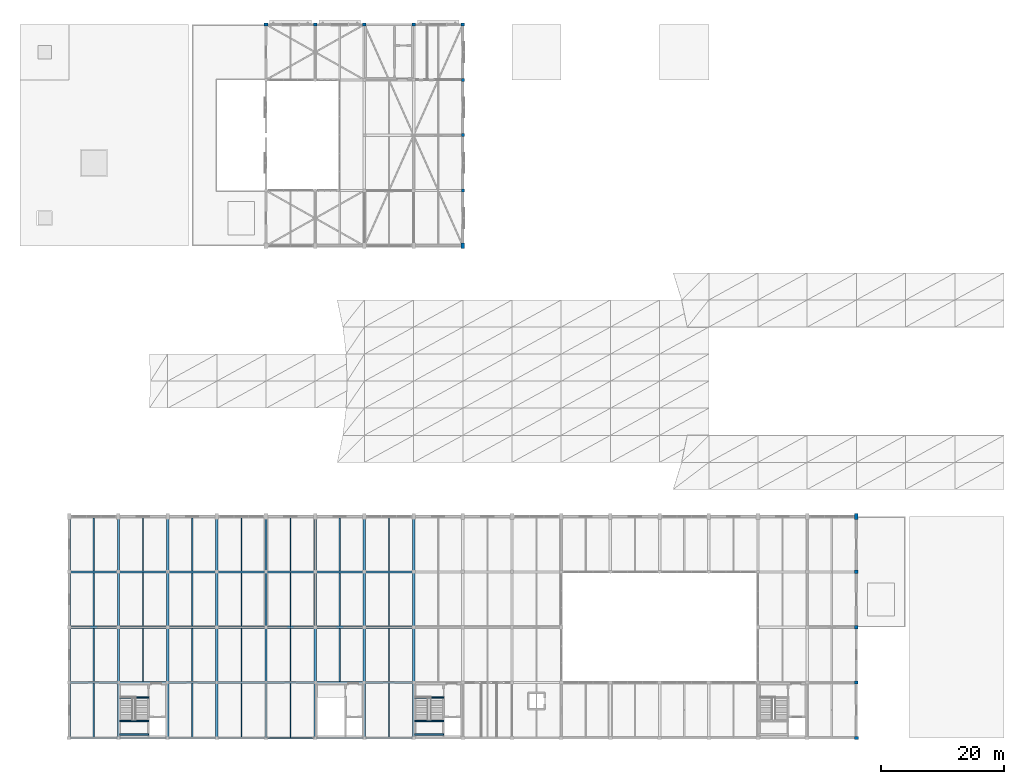
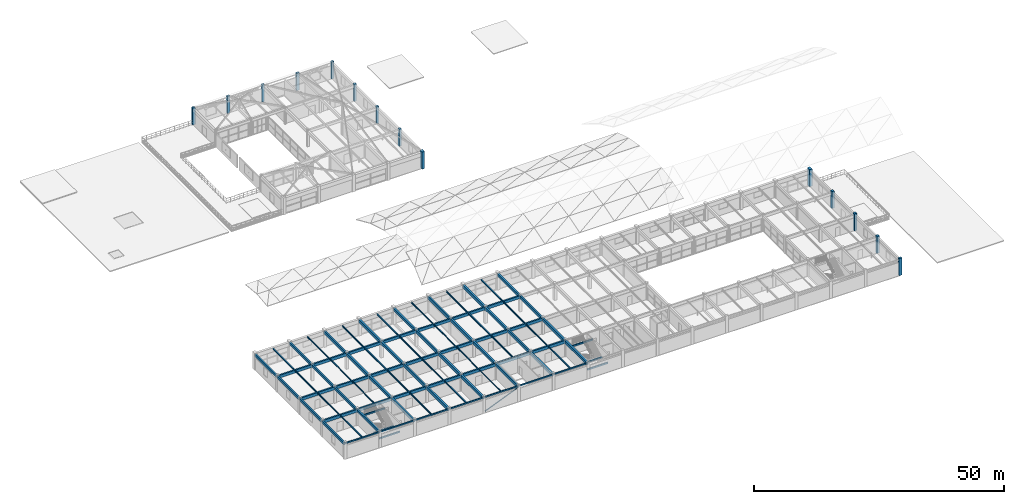
# One storey, part 3 of 63: 92 beams, 14 columns, 1 member.
"""IFC4 building model written with IfcOpenShell, lengths in metres."""

import ifcopenshell
import ifcopenshell.guid

model = None  # the IFC model being written
_history = None  # IfcOwnerHistory: only IFC2X3 demands one
_inside = {}  # id of a spatial element -> (the spatial element, [elements in it])
_under = {}  # id of a project, library or spatial element -> (it, [spatial elements below it])
_declared = {}  # id of a project -> (the project, [libraries it declares])
_typed = {}  # id of a type object -> (the type object, [elements of that type])
_made_of = {}  # id of a material, layer set ... -> (it, [elements and type objects made of it])


def new_model(schema):
    """Start an empty IFC model of exactly this schema.

    Asked for "IFC4X3", IfcOpenShell would pick the latest addendum, in which some entities
    have other attributes; the version numbers below select the first issue.
    IFC2X3 requires an IfcOwnerHistory on every rooted entity: one is made here for all.
    """
    global model, _history
    if schema == "IFC4X3":
        model = ifcopenshell.file(schema_version=(4, 3, 0, 0))
    else:
        model = ifcopenshell.file(schema=schema)
    _inside.clear()
    _under.clear()
    _declared.clear()
    _typed.clear()
    _made_of.clear()
    _history = None
    if model.schema == "IFC2X3":
        org = make("IfcOrganization", Name="unknown")
        user = make(
            "IfcPersonAndOrganization",
            ThePerson=make("IfcPerson", FamilyName="unknown"),
            TheOrganization=org,
        )
        app = make(
            "IfcApplication",
            ApplicationDeveloper=org,
            Version="unknown",
            ApplicationFullName="unknown",
            ApplicationIdentifier="unknown",
        )
        _history = make(
            "IfcOwnerHistory",
            OwningUser=user,
            OwningApplication=app,
            ChangeAction="ADDED",
            CreationDate=0,
        )
    return model


def make(cls, **values):
    """One entity of the class cls with the attributes given. An attribute that is None is left unset."""
    return model.create_entity(
        cls, **{name: value for name, value in values.items() if value is not None}
    )


def rooted(cls, **values):
    """An entity with a GlobalId (a new one), such as an element, a storey or a relation."""
    return make(cls, GlobalId=ifcopenshell.guid.new(), OwnerHistory=_history, **values)


def si_unit(unit_type, name, prefix=None):
    """IfcSIUnit, for example si_unit("LENGTHUNIT", "METRE", prefix="MILLI")."""
    return make("IfcSIUnit", UnitType=unit_type, Prefix=prefix, Name=name)


def assignment(units):
    """IfcUnitAssignment: the units of a project."""
    return None if units is None else make("IfcUnitAssignment", Units=units)


def point(xyz):
    """IfcCartesianPoint."""
    return None if xyz is None else make("IfcCartesianPoint", Coordinates=xyz)


def direction(xyz):
    """IfcDirection."""
    return None if xyz is None else make("IfcDirection", DirectionRatios=xyz)


def frame(location, z_axis=None, x_axis=None):
    """IfcAxis2Placement3D, a coordinate frame: its origin and axes. An axis left out is left unset."""
    return make(
        "IfcAxis2Placement3D",
        Location=point(location),
        Axis=direction(z_axis),
        RefDirection=direction(x_axis),
    )


def frame_2d(location, x_axis=None):
    """IfcAxis2Placement2D, a coordinate frame in the plane: its origin and x axis."""
    return make(
        "IfcAxis2Placement2D", Location=point(location), RefDirection=direction(x_axis)
    )


def origin():
    """The frame at (0, 0, 0) with its axes left unset."""
    return frame((0.0, 0.0, 0.0))


def origin_2d():
    """The frame at (0, 0) in the plane with its x axis left unset."""
    return frame_2d((0.0, 0.0))


def place(relative_to, where):
    """IfcLocalPlacement: puts the frame where relative to a parent placement (None: the world)."""
    return make(
        "IfcLocalPlacement", PlacementRelTo=relative_to, RelativePlacement=where
    )


def context(
    kind, dimensions, precision=None, world=None, true_north=None, identifier=None
):
    """IfcGeometricRepresentationContext, for example the 3D "Model" context."""
    return make(
        "IfcGeometricRepresentationContext",
        ContextIdentifier=identifier,
        ContextType=kind,
        CoordinateSpaceDimension=dimensions,
        Precision=precision,
        WorldCoordinateSystem=world,
        TrueNorth=true_north,
    )


def subcontext(parent, identifier, kind, view, scale=None):
    """IfcGeometricRepresentationSubContext, for example "Body" below "Model"."""
    return make(
        "IfcGeometricRepresentationSubContext",
        ContextIdentifier=identifier,
        ContextType=kind,
        ParentContext=parent,
        TargetScale=scale,
        TargetView=view,
    )


def project(units=None, contexts=None):
    """IfcProject with its units and contexts."""
    return rooted(
        "IfcProject",
        Name="project",
        RepresentationContexts=contexts,
        UnitsInContext=assignment(units),
    )


def spatial(cls, under=None, at=None, **own):
    """A site, building, storey or space (cls), placed at a placement, below another one or the project."""
    s = rooted(cls, ObjectPlacement=at, **own)
    if under is not None:
        _under.setdefault(under.id(), (under, []))[1].append(s)
    return s


def profile(cls, at=None, kind="AREA", **sizes):
    """A parametric profile (cls). Its sizes go by their IFC names, for example OverallWidth=200.0."""
    return make(cls, ProfileType=kind, Position=at, **sizes)


def rectangle(**sizes):
    """IfcRectangleProfileDef."""
    return profile("IfcRectangleProfileDef", **sizes)


def hollow_rectangle(**sizes):
    """IfcRectangleHollowProfileDef."""
    return profile("IfcRectangleHollowProfileDef", **sizes)


def i_section(**sizes):
    """IfcIShapeProfileDef."""
    return profile("IfcIShapeProfileDef", **sizes)


def extrude(swept, where, along, depth):
    """IfcExtrudedAreaSolid: the profile swept, set in the frame where, extruded along a direction by depth."""
    return make(
        "IfcExtrudedAreaSolid",
        SweptArea=swept,
        Position=where,
        ExtrudedDirection=direction(along),
        Depth=depth,
    )


def shape(context_of_items, identifier, shape_type, items):
    """IfcShapeRepresentation: the items that make up one representation, for example the "Body"."""
    return make(
        "IfcShapeRepresentation",
        ContextOfItems=context_of_items,
        RepresentationIdentifier=identifier,
        RepresentationType=shape_type,
        Items=items,
    )


def material(Name=None, Category=None):
    """IfcMaterial."""
    return make("IfcMaterial", Name=Name, Category=Category)


def material_profile(
    of_material, cross_section, Name=None, Category=None, Priority=None
):
    """IfcMaterialProfile: a cross section and its material."""
    return make(
        "IfcMaterialProfile",
        Name=Name,
        Material=of_material,
        Profile=cross_section,
        Priority=Priority,
        Category=Category,
    )


def profile_set(profiles, Name=None, composite=None):
    """IfcMaterialProfileSet."""
    return make(
        "IfcMaterialProfileSet",
        Name=Name,
        MaterialProfiles=profiles,
        CompositeProfile=composite,
    )


def made_of(thing, what):
    """Note that an element or type object is made of a material, layer set ...; save() writes the relation."""
    if what is not None:
        _made_of.setdefault(what.id(), (what, []))[1].append(thing)
    return thing


def type_object(cls, material=None, **own):
    """A type object (cls), such as IfcWallType, which elements share."""
    return made_of(rooted(cls, **own), material)


def element(
    cls,
    number,
    at=None,
    inside=None,
    cuts=None,
    type_object=None,
    material=None,
    context=None,
    identifier="Body",
    shape_type=None,
    held_by="IfcProductDefinitionShape",
    body=None,
    shapes=None,
    **own,
):
    """One element of the class cls, such as IfcWall. Its Tag is "e" and its number.

    at: its placement. inside: the storey or other place that contains it. cuts: it is an
    opening in that element (IfcRelVoidsElement). A single representation is given by context,
    identifier, shape_type and body (its items); several are given by shapes. held_by: the class
    of the entity that holds the representations. save() writes the other relations.
    """
    e = rooted(cls, Tag="e%d" % number, ObjectPlacement=at, **own)
    if body is not None:
        shapes = [shape(context, identifier, shape_type, body)]
    if shapes is not None:
        e.Representation = make(held_by, Representations=shapes)
    if inside is not None:
        _inside.setdefault(inside.id(), (inside, []))[1].append(e)
    if cuts is not None:
        rooted(
            "IfcRelVoidsElement", RelatingBuildingElement=cuts, RelatedOpeningElement=e
        )
    if type_object is not None:
        _typed.setdefault(type_object.id(), (type_object, []))[1].append(e)
    return made_of(e, material)


def aggregate(whole, parts):
    """IfcRelAggregates: a whole, such as a stair, and the parts it consists of."""
    return rooted("IfcRelAggregates", RelatingObject=whole, RelatedObjects=parts)


def save(model, path):
    """Write the relations noted so far, then the file.

    IfcRelAggregates (storeys below a building ...), IfcRelContainedInSpatialStructure (elements
    in a storey), IfcRelDefinesByType, IfcRelAssociatesMaterial and IfcRelDeclares: one each for
    every whole, place, type object, material and project.
    """
    for whole, parts in _under.values():
        aggregate(whole, parts)
    for where, things in _inside.values():
        rooted(
            "IfcRelContainedInSpatialStructure",
            RelatedElements=things,
            RelatingStructure=where,
        )
    for kind, things in _typed.values():
        rooted("IfcRelDefinesByType", RelatedObjects=things, RelatingType=kind)
    for what, things in _made_of.values():
        rooted("IfcRelAssociatesMaterial", RelatedObjects=things, RelatingMaterial=what)
    for by, libraries in _declared.values():
        rooted("IfcRelDeclares", RelatingContext=by, RelatedDefinitions=libraries)
    model.write(path)


model = new_model("IFC4")

# Units and contexts
model_context = context("Model", 3, precision=1e-05, world=origin(), true_north=direction((0.0, 1.0)))
body_context = subcontext(model_context, "Body", "Model", "MODEL_VIEW")
ifc_project = project(units=[si_unit("LENGTHUNIT", "METRE"), si_unit("AREAUNIT", "SQUARE_METRE"), si_unit("VOLUMEUNIT", "CUBIC_METRE"), si_unit("PLANEANGLEUNIT", "RADIAN"), si_unit("MASSUNIT", "GRAM", prefix="KILO")], contexts=[model_context])

# Site, building, storey
site_placement = place(None, origin())
site = spatial("IfcSite", under=ifc_project, at=site_placement, CompositionType="ELEMENT")
building_placement = place(site_placement, origin())
building = spatial("IfcBuilding", under=site, at=building_placement, Name="Varnabhumi Central Station", CompositionType="ELEMENT")
storey_placement = place(building_placement, frame((0.0, 0.0, 20.39990234375)))
storey = spatial("IfcBuildingStorey", under=building, at=storey_placement, Name="L04", CompositionType="ELEMENT", Elevation=20.39990234375)

# Columns
ifc_material_1 = material(Name="Concrete M40", Category="concrete")
ifc_material_profile_1 = material_profile(ifc_material_1, rectangle(XDim=0.550048828125, YDim=0.550048828125, at=origin_2d()), Name="Concrete M40", Category="concrete")
ifc_profile_set_1 = profile_set([ifc_material_profile_1], Name="Concrete M40")
column_type_1 = type_object("IfcColumnType", Name="COL-RC-550", PredefinedType="COLUMN", material=ifc_profile_set_1)
for number, where, z_axis, x_axis, name in (
    (1, (160.0, 9.0, 0.0), (0.0, 0.0, 1.0), (1.0, 0.0, 0.0), "Column L04-21B"),
    (2, (160.0, 18.0, 0.0), (0.0, 0.0, 1.0), (1.0, 0.0, 0.0), "Column L04-21C"),
    (3, (160.0, 27.0, 0.0), (0.0, 0.0, 1.0), (1.0, 0.0, 0.0), "Column L04-21D"),
):
    element("IfcColumn", number, at=place(storey_placement, frame(where, z_axis=z_axis, x_axis=x_axis)), inside=storey, type_object=column_type_1, Name=name, PredefinedType="COLUMN", context=body_context, shape_type="SweptSolid", body=[
        extrude(rectangle(XDim=0.550048828125, YDim=0.550048828125, at=origin_2d()), origin(), (0.0, 0.0, 1.0), 4.2001953125),
    ])
ifc_material_profile_2 = material_profile(ifc_material_1, rectangle(XDim=0.60009765625, YDim=0.449951171875, at=origin_2d()), Name="Concrete M40", Category="concrete")
ifc_profile_set_2 = profile_set([ifc_material_profile_2], Name="Concrete M40")
column_type_2 = type_object("IfcColumnType", Name="COL-RC-600x450", PredefinedType="PILASTER", material=ifc_profile_set_2)
for number, where, z_axis, x_axis, name in (
    (4, (64.0, 116.0, 0.0), (0.0, 0.0, 1.0), (1.0, 0.0, 0.0), "Column L04-9P"),
    (5, (72.0, 116.0, 0.0), (0.0, 0.0, 1.0), (1.0, 0.0, 0.0), "Column L04-10P"),
    (6, (80.0, 116.0, 0.0), (0.0, 0.0, 1.0), (1.0, 0.0, 0.0), "Column L04-11P"),
    (7, (88.0, 116.0, 0.0), (0.0, 0.0, 1.0), (1.0, 0.0, 0.0), "Column L04-12P"),
    (8, (96.0, 116.0, 0.0), (0.0, 0.0, 1.0), (1.0, 0.0, 0.0), "Column L04-13P"),
):
    element("IfcColumn", number, at=place(storey_placement, frame(where, z_axis=z_axis, x_axis=x_axis)), inside=storey, type_object=column_type_2, Name=name, PredefinedType="PILASTER", context=body_context, shape_type="SweptSolid", body=[
        extrude(rectangle(XDim=0.60009765625, YDim=0.449951171875, at=origin_2d()), origin(), (0.0, 0.0, 1.0), 4.2001953125),
    ])
ifc_material_profile_3 = material_profile(ifc_material_1, rectangle(XDim=0.64990234375, YDim=0.449951171875, at=origin_2d()), Name="Concrete M40", Category="concrete")
ifc_profile_set_3 = profile_set([ifc_material_profile_3], Name="Concrete M40")
column_type_3 = type_object("IfcColumnType", Name="COL-RC-650x450", PredefinedType="PILASTER", material=ifc_profile_set_3)
column_placement = place(storey_placement, frame((160.0, 0.0, 0.0), z_axis=(0.0, 0.0, 1.0), x_axis=(1.0, 0.0, 0.0)))
element("IfcColumn", 9, at=column_placement, inside=storey, type_object=column_type_3, Name="Column L04-21A", PredefinedType="PILASTER", context=body_context, shape_type="SweptSolid", body=[
    extrude(rectangle(XDim=0.64990234375, YDim=0.449951171875, at=origin_2d()), origin(), (0.0, 0.0, 1.0), 4.2001953125),
])
ifc_material_profile_4 = material_profile(ifc_material_1, rectangle(XDim=0.60009765625, YDim=0.89990234375, at=origin_2d()), Name="Concrete M40", Category="concrete")
ifc_profile_set_4 = profile_set([ifc_material_profile_4], Name="Concrete M40")
column_type_4 = type_object("IfcColumnType", Name="COL-SPINE-M40-900x600", PredefinedType="COLUMN", material=ifc_profile_set_4)
for number, where, z_axis, x_axis, name in (
    (10, (96.0, 80.0, 0.0), (0.0, 0.0, 1.0), (1.0, 0.0, 0.0), "Column L04-13K"),
    (11, (160.0, 36.0, 0.0), (0.0, 0.0, 1.0), (1.0, 0.0, 0.0), "Column L04-21E"),
):
    element("IfcColumn", number, at=place(storey_placement, frame(where, z_axis=z_axis, x_axis=x_axis)), inside=storey, type_object=column_type_4, Name=name, PredefinedType="COLUMN", context=body_context, shape_type="SweptSolid", body=[
        extrude(rectangle(XDim=0.60009765625, YDim=0.89990234375, at=origin_2d()), origin(), (0.0, 0.0, 1.0), 4.2001953125),
    ])
ifc_material_profile_5 = material_profile(ifc_material_1, rectangle(XDim=0.5, YDim=0.5, at=origin_2d()), Name="Concrete M40", Category="concrete")
ifc_profile_set_5 = profile_set([ifc_material_profile_5], Name="Concrete M40")
column_type_5 = type_object("IfcColumnType", Name="COL-UPPER-500", PredefinedType="COLUMN", material=ifc_profile_set_5)
for number, where, z_axis, x_axis, name in (
    (12, (96.0, 89.0, 0.0), (0.0, 0.0, 1.0), (1.0, 0.0, 0.0), "Column L04-13L"),
    (13, (96.0, 98.0, 0.0), (0.0, 0.0, 1.0), (1.0, 0.0, 0.0), "Column L04-13M"),
    (14, (96.0, 107.0, 0.0), (0.0, 0.0, 1.0), (1.0, 0.0, 0.0), "Column L04-13N"),
):
    element("IfcColumn", number, at=place(storey_placement, frame(where, z_axis=z_axis, x_axis=x_axis)), inside=storey, type_object=column_type_5, Name=name, PredefinedType="COLUMN", context=body_context, shape_type="SweptSolid", body=[
        extrude(rectangle(XDim=0.5, YDim=0.5, at=origin_2d()), origin(), (0.0, 0.0, 1.0), 4.2001953125),
    ])

# Beams
ifc_material_2 = material(Name="Concrete M35", Category="concrete")
ifc_material_profile_6 = material_profile(ifc_material_2, rectangle(XDim=0.25, YDim=0.35009765625, at=origin_2d()), Name="Concrete M35", Category="concrete")
ifc_profile_set_6 = profile_set([ifc_material_profile_6], Name="Concrete M35")
beam_type_1 = type_object("IfcBeamType", Name="BM-RC-250x350", PredefinedType="LINTEL", material=ifc_profile_set_6)
for number, where, z_axis, x_axis, name in (
    (15, (40.179931640625, 0.5400390625, 1.7451171875), (1.0, 0.0, 0.0), (0.0, 1.0, 0.0), "ST-S1 L04 Half Landing Support Beam 1"),
    (16, (40.179931640625, 2.77490234375, 1.7451171875), (1.0, 0.0, 0.0), (0.0, 1.0, 0.0), "ST-S1 L04 Half Landing Support Beam 2"),
    (17, (40.179931640625, 6.580078125, 3.775146484375), (1.0, 0.0, 0.0), (0.0, 1.0, 0.0), "ST-S1 L04 Floor Opening Trimmer Beam"),
    (18, (88.179931640625, 0.5400390625, 1.7451171875), (1.0, 0.0, 0.0), (0.0, 1.0, 0.0), "ST-S2 L04 Half Landing Support Beam 1"),
    (19, (88.179931640625, 2.77490234375, 1.7451171875), (1.0, 0.0, 0.0), (0.0, 1.0, 0.0), "ST-S2 L04 Half Landing Support Beam 2"),
    (20, (88.179931640625, 6.580078125, 3.775146484375), (1.0, 0.0, 0.0), (0.0, 1.0, 0.0), "ST-S2 L04 Floor Opening Trimmer Beam"),
):
    element("IfcBeam", number, at=place(storey_placement, frame(where, z_axis=z_axis, x_axis=x_axis)), inside=storey, type_object=beam_type_1, Name=name, PredefinedType="LINTEL", context=body_context, shape_type="SweptSolid", body=[
        extrude(rectangle(XDim=0.25, YDim=0.35009765625, at=origin_2d()), origin(), (0.0, 0.0, 1.0), 4.719970703125),
    ])
ifc_material_profile_7 = material_profile(ifc_material_1, rectangle(XDim=0.35009765625, YDim=0.60009765625, at=origin_2d()), Name="Concrete M40", Category="concrete")
ifc_profile_set_7 = profile_set([ifc_material_profile_7], Name="Concrete M40")
beam_type_2 = type_object("IfcBeamType", Name="BM-RC-350x600", PredefinedType="BEAM", material=ifc_profile_set_7)
for number, where, z_axis, x_axis, name in (
    (21, (32.0, 0.10009765625, 3.6201171875), (0.0, 1.0, 0.0), (-1.0, 0.0, 0.0), "Beam L04-5:A-B"),
    (22, (40.0, 0.10009765625, 3.6201171875), (0.0, 1.0, 0.0), (-1.0, 0.0, 0.0), "Beam L04-6:A-B"),
    (23, (32.0, 9.10009765625, 3.6201171875), (0.0, 1.0, 0.0), (-1.0, 0.0, 0.0), "Beam L04-5:B-C"),
    (24, (40.0, 9.10009765625, 3.6201171875), (0.0, 1.0, 0.0), (-1.0, 0.0, 0.0), "Beam L04-6:B-C"),
    (25, (32.0, 18.10009765625, 3.6201171875), (0.0, 1.0, 0.0), (-1.0, 0.0, 0.0), "Beam L04-5:C-D"),
    (26, (40.0, 18.10009765625, 3.6201171875), (0.0, 1.0, 0.0), (-1.0, 0.0, 0.0), "Beam L04-6:C-D"),
    (27, (32.0, 27.10009765625, 3.6201171875), (0.0, 1.0, 0.0), (-1.0, 0.0, 0.0), "Beam L04-5:D-E"),
    (28, (40.0, 27.10009765625, 3.6201171875), (0.0, 1.0, 0.0), (-1.0, 0.0, 0.0), "Beam L04-6:D-E"),
):
    element("IfcBeam", number, at=place(storey_placement, frame(where, z_axis=z_axis, x_axis=x_axis)), inside=storey, type_object=beam_type_2, Name=name, PredefinedType="BEAM", context=body_context, shape_type="SweptSolid", body=[
        extrude(rectangle(XDim=0.35009765625, YDim=0.60009765625, at=origin_2d()), origin(), (0.0, 0.0, 1.0), 8.7998046875),
    ])
ifc_material_profile_8 = material_profile(ifc_material_1, rectangle(XDim=0.35009765625, YDim=0.699951171875, at=origin_2d()), Name="Concrete M40", Category="concrete")
ifc_profile_set_8 = profile_set([ifc_material_profile_8], Name="Concrete M40")
beam_type_3 = type_object("IfcBeamType", Name="BM-RC-350x700", PredefinedType="BEAM", material=ifc_profile_set_8)
for number, where, z_axis, x_axis, name in (
    (29, (32.10009765625, 9.0, 3.570068359375), (1.0, 0.0, 0.0), (0.0, 1.0, 0.0), "Beam L04-B:5-6"),
    (30, (32.10009765625, 18.0, 3.570068359375), (1.0, 0.0, 0.0), (0.0, 1.0, 0.0), "Beam L04-C:5-6"),
    (31, (32.10009765625, 27.0, 3.570068359375), (1.0, 0.0, 0.0), (0.0, 1.0, 0.0), "Beam L04-D:5-6"),
    (32, (40.10009765625, 9.0, 3.570068359375), (1.0, 0.0, 0.0), (0.0, 1.0, 0.0), "Beam L04-B:6-7"),
    (33, (40.10009765625, 18.0, 3.570068359375), (1.0, 0.0, 0.0), (0.0, 1.0, 0.0), "Beam L04-C:6-7"),
    (34, (40.10009765625, 27.0, 3.570068359375), (1.0, 0.0, 0.0), (0.0, 1.0, 0.0), "Beam L04-D:6-7"),
    (35, (48.10009765625, 9.0, 3.570068359375), (1.0, 0.0, 0.0), (0.0, 1.0, 0.0), "Beam L04-B:7-8"),
    (36, (48.10009765625, 18.0, 3.570068359375), (1.0, 0.0, 0.0), (0.0, 1.0, 0.0), "Beam L04-C:7-8"),
    (37, (48.10009765625, 27.0, 3.570068359375), (1.0, 0.0, 0.0), (0.0, 1.0, 0.0), "Beam L04-D:7-8"),
    (38, (56.10009765625, 9.0, 3.570068359375), (1.0, 0.0, 0.0), (0.0, 1.0, 0.0), "Beam L04-B:8-9"),
    (39, (56.10009765625, 18.0, 3.570068359375), (1.0, 0.0, 0.0), (0.0, 1.0, 0.0), "Beam L04-C:8-9"),
    (40, (56.10009765625, 27.0, 3.570068359375), (1.0, 0.0, 0.0), (0.0, 1.0, 0.0), "Beam L04-D:8-9"),
    (41, (64.10009765625, 9.0, 3.570068359375), (1.0, 0.0, 0.0), (0.0, 1.0, 0.0), "Beam L04-B:9-10"),
    (42, (64.10009765625, 18.0, 3.570068359375), (1.0, 0.0, 0.0), (0.0, 1.0, 0.0), "Beam L04-C:9-10"),
    (43, (64.10009765625, 27.0, 3.570068359375), (1.0, 0.0, 0.0), (0.0, 1.0, 0.0), "Beam L04-D:9-10"),
    (44, (72.10009765625, 9.0, 3.570068359375), (1.0, 0.0, 0.0), (0.0, 1.0, 0.0), "Beam L04-B:10-11"),
    (45, (72.10009765625, 18.0, 3.570068359375), (1.0, 0.0, 0.0), (0.0, 1.0, 0.0), "Beam L04-C:10-11"),
    (46, (72.10009765625, 27.0, 3.570068359375), (1.0, 0.0, 0.0), (0.0, 1.0, 0.0), "Beam L04-D:10-11"),
    (47, (80.10009765625, 9.0, 3.570068359375), (1.0, 0.0, 0.0), (0.0, 1.0, 0.0), "Beam L04-B:11-12"),
    (48, (80.10009765625, 18.0, 3.570068359375), (1.0, 0.0, 0.0), (0.0, 1.0, 0.0), "Beam L04-C:11-12"),
    (49, (80.10009765625, 27.0, 3.570068359375), (1.0, 0.0, 0.0), (0.0, 1.0, 0.0), "Beam L04-D:11-12"),
):
    element("IfcBeam", number, at=place(storey_placement, frame(where, z_axis=z_axis, x_axis=x_axis)), inside=storey, type_object=beam_type_3, Name=name, PredefinedType="BEAM", context=body_context, shape_type="SweptSolid", body=[
        extrude(rectangle(XDim=0.35009765625, YDim=0.699951171875, at=origin_2d()), origin(), (0.0, 0.0, 1.0), 7.7998046875),
    ])
ifc_material_profile_9 = material_profile(ifc_material_1, rectangle(XDim=0.39990234375, YDim=0.699951171875, at=origin_2d()), Name="Concrete M40", Category="concrete")
ifc_profile_set_9 = profile_set([ifc_material_profile_9], Name="Concrete M40")
beam_type_4 = type_object("IfcBeamType", Name="BM-RC-700x400", PredefinedType="BEAM", material=ifc_profile_set_9)
for number, where, z_axis, x_axis, name in (
    (50, (48.0, 0.10009765625, 3.570068359375), (0.0, 1.0, 0.0), (-1.0, 0.0, 0.0), "Beam L04-7:A-B"),
    (51, (56.0, 0.10009765625, 3.570068359375), (0.0, 1.0, 0.0), (-1.0, 0.0, 0.0), "Beam L04-8:A-B"),
    (52, (64.0, 0.10009765625, 3.570068359375), (0.0, 1.0, 0.0), (-1.0, 0.0, 0.0), "Beam L04-9:A-B"),
    (53, (72.0, 0.10009765625, 3.570068359375), (0.0, 1.0, 0.0), (-1.0, 0.0, 0.0), "Beam L04-10:A-B"),
    (54, (80.0, 0.10009765625, 3.570068359375), (0.0, 1.0, 0.0), (-1.0, 0.0, 0.0), "Beam L04-11:A-B"),
    (55, (88.0, 0.10009765625, 3.570068359375), (0.0, 1.0, 0.0), (-1.0, 0.0, 0.0), "Beam L04-12:A-B"),
    (56, (48.0, 9.10009765625, 3.570068359375), (0.0, 1.0, 0.0), (-1.0, 0.0, 0.0), "Beam L04-7:B-C"),
    (57, (56.0, 9.10009765625, 3.570068359375), (0.0, 1.0, 0.0), (-1.0, 0.0, 0.0), "Beam L04-8:B-C"),
    (58, (64.0, 9.10009765625, 3.570068359375), (0.0, 1.0, 0.0), (-1.0, 0.0, 0.0), "Beam L04-9:B-C"),
    (59, (72.0, 9.10009765625, 3.570068359375), (0.0, 1.0, 0.0), (-1.0, 0.0, 0.0), "Beam L04-10:B-C"),
    (60, (80.0, 9.10009765625, 3.570068359375), (0.0, 1.0, 0.0), (-1.0, 0.0, 0.0), "Beam L04-11:B-C"),
    (61, (88.0, 9.10009765625, 3.570068359375), (0.0, 1.0, 0.0), (-1.0, 0.0, 0.0), "Beam L04-12:B-C"),
    (62, (48.0, 18.10009765625, 3.570068359375), (0.0, 1.0, 0.0), (-1.0, 0.0, 0.0), "Beam L04-7:C-D"),
    (63, (56.0, 18.10009765625, 3.570068359375), (0.0, 1.0, 0.0), (-1.0, 0.0, 0.0), "Beam L04-8:C-D"),
    (64, (64.0, 18.10009765625, 3.570068359375), (0.0, 1.0, 0.0), (-1.0, 0.0, 0.0), "Beam L04-9:C-D"),
    (65, (72.0, 18.10009765625, 3.570068359375), (0.0, 1.0, 0.0), (-1.0, 0.0, 0.0), "Beam L04-10:C-D"),
    (66, (80.0, 18.10009765625, 3.570068359375), (0.0, 1.0, 0.0), (-1.0, 0.0, 0.0), "Beam L04-11:C-D"),
    (67, (88.0, 18.10009765625, 3.570068359375), (0.0, 1.0, 0.0), (-1.0, 0.0, 0.0), "Beam L04-12:C-D"),
    (68, (48.0, 27.10009765625, 3.570068359375), (0.0, 1.0, 0.0), (-1.0, 0.0, 0.0), "Beam L04-7:D-E"),
    (69, (56.0, 27.10009765625, 3.570068359375), (0.0, 1.0, 0.0), (-1.0, 0.0, 0.0), "Beam L04-8:D-E"),
    (70, (64.0, 27.10009765625, 3.570068359375), (0.0, 1.0, 0.0), (-1.0, 0.0, 0.0), "Beam L04-9:D-E"),
    (71, (72.0, 27.10009765625, 3.570068359375), (0.0, 1.0, 0.0), (-1.0, 0.0, 0.0), "Beam L04-10:D-E"),
    (72, (80.0, 27.10009765625, 3.570068359375), (0.0, 1.0, 0.0), (-1.0, 0.0, 0.0), "Beam L04-11:D-E"),
    (73, (88.0, 27.10009765625, 3.570068359375), (0.0, 1.0, 0.0), (-1.0, 0.0, 0.0), "Beam L04-12:D-E"),
):
    element("IfcBeam", number, at=place(storey_placement, frame(where, z_axis=z_axis, x_axis=x_axis)), inside=storey, type_object=beam_type_4, Name=name, PredefinedType="BEAM", context=body_context, shape_type="SweptSolid", body=[
        extrude(rectangle(XDim=0.39990234375, YDim=0.699951171875, at=origin_2d()), origin(), (0.0, 0.0, 1.0), 8.7998046875),
    ])
ifc_material_3 = material(Name="Structural steel E350", Category="steel")
ifc_material_profile_10 = material_profile(ifc_material_3, i_section(OverallWidth=0.110107421875, OverallDepth=0.22509765625, WebThickness=0.006591796875, FlangeThickness=0.01171875, FilletRadius=0.011962890625, at=origin_2d()), Name="Structural steel E350", Category="steel")
ifc_profile_set_10 = profile_set([ifc_material_profile_10], Name="Structural steel E350")
beam_type_5 = type_object("IfcBeamType", Name="BM-STL-ISMB225", PredefinedType="JOIST", material=ifc_profile_set_10)
beam_1_placement = place(storey_placement, frame((68.0, 0.10009765625, 3.8076171875), z_axis=(0.0, 1.0, 0.0), x_axis=(-1.0, 0.0, 0.0)))
element("IfcBeam", 74, at=beam_1_placement, inside=storey, type_object=beam_type_5, Name="Secondary Joist L04-9/10:A-B", PredefinedType="JOIST", context=body_context, shape_type="SweptSolid", body=[
    extrude(i_section(OverallWidth=0.110107421875, OverallDepth=0.22509765625, WebThickness=0.006591796875, FlangeThickness=0.01171875, FilletRadius=0.011962890625, at=origin_2d()), origin(), (0.0, 0.0, 1.0), 8.724853515625),
])
for number, where, z_axis, x_axis, name in (
    (75, (44.0, 9.175048828125, 3.8076171875), (0.0, 1.0, 0.0), (-1.0, 0.0, 0.0), "Secondary Joist L04-6/7:B-C"),
    (76, (68.0, 9.175048828125, 3.8076171875), (0.0, 1.0, 0.0), (-1.0, 0.0, 0.0), "Secondary Joist L04-9/10:B-C"),
    (77, (44.0, 18.175048828125, 3.8076171875), (0.0, 1.0, 0.0), (-1.0, 0.0, 0.0), "Secondary Joist L04-6/7:C-D"),
    (78, (68.0, 18.175048828125, 3.8076171875), (0.0, 1.0, 0.0), (-1.0, 0.0, 0.0), "Secondary Joist L04-9/10:C-D"),
):
    element("IfcBeam", number, at=place(storey_placement, frame(where, z_axis=z_axis, x_axis=x_axis)), inside=storey, type_object=beam_type_5, Name=name, PredefinedType="JOIST", context=body_context, shape_type="SweptSolid", body=[
        extrude(i_section(OverallWidth=0.110107421875, OverallDepth=0.22509765625, WebThickness=0.006591796875, FlangeThickness=0.01171875, FilletRadius=0.011962890625, at=origin_2d()), origin(), (0.0, 0.0, 1.0), 8.64990234375),
    ])
for number, where, z_axis, x_axis, name in (
    (79, (44.0, 27.175048828125, 3.8076171875), (0.0, 1.0, 0.0), (-1.0, 0.0, 0.0), "Secondary Joist L04-6/7:D-E"),
    (80, (68.0, 27.175048828125, 3.8076171875), (0.0, 1.0, 0.0), (-1.0, 0.0, 0.0), "Secondary Joist L04-9/10:D-E"),
):
    element("IfcBeam", number, at=place(storey_placement, frame(where, z_axis=z_axis, x_axis=x_axis)), inside=storey, type_object=beam_type_5, Name=name, PredefinedType="JOIST", context=body_context, shape_type="SweptSolid", body=[
        extrude(i_section(OverallWidth=0.110107421875, OverallDepth=0.22509765625, WebThickness=0.006591796875, FlangeThickness=0.01171875, FilletRadius=0.011962890625, at=origin_2d()), origin(), (0.0, 0.0, 1.0), 8.550048828125),
    ])
ifc_material_profile_11 = material_profile(ifc_material_3, i_section(OverallWidth=0.199951171875, OverallDepth=0.300048828125, WebThickness=0.00732421875, FlangeThickness=0.010009765625, FilletRadius=0.010986328125, at=origin_2d()), Name="Structural steel E350", Category="steel")
ifc_profile_set_11 = profile_set([ifc_material_profile_11], Name="Structural steel E350")
beam_type_6 = type_object("IfcBeamType", Name="BM-STL-ISWB300", PredefinedType="JOIST", material=ifc_profile_set_11)
for number, where, z_axis, x_axis, name in (
    (81, (36.0, 0.10009765625, 3.77001953125), (0.0, 1.0, 0.0), (-1.0, 0.0, 0.0), "Secondary Joist L04-5/6:A-B"),
    (82, (60.0, 0.10009765625, 3.77001953125), (0.0, 1.0, 0.0), (-1.0, 0.0, 0.0), "Secondary Joist L04-8/9:A-B"),
    (83, (84.0, 0.10009765625, 3.77001953125), (0.0, 1.0, 0.0), (-1.0, 0.0, 0.0), "Secondary Joist L04-11/12:A-B"),
):
    element("IfcBeam", number, at=place(storey_placement, frame(where, z_axis=z_axis, x_axis=x_axis)), inside=storey, type_object=beam_type_6, Name=name, PredefinedType="JOIST", context=body_context, shape_type="SweptSolid", body=[
        extrude(i_section(OverallWidth=0.199951171875, OverallDepth=0.300048828125, WebThickness=0.00732421875, FlangeThickness=0.010009765625, FilletRadius=0.010986328125, at=origin_2d()), origin(), (0.0, 0.0, 1.0), 8.724853515625),
    ])
for number, where, z_axis, x_axis, name in (
    (84, (36.0, 9.175048828125, 3.77001953125), (0.0, 1.0, 0.0), (-1.0, 0.0, 0.0), "Secondary Joist L04-5/6:B-C"),
    (85, (60.0, 9.175048828125, 3.77001953125), (0.0, 1.0, 0.0), (-1.0, 0.0, 0.0), "Secondary Joist L04-8/9:B-C"),
    (86, (84.0, 9.175048828125, 3.77001953125), (0.0, 1.0, 0.0), (-1.0, 0.0, 0.0), "Secondary Joist L04-11/12:B-C"),
    (87, (36.0, 18.175048828125, 3.77001953125), (0.0, 1.0, 0.0), (-1.0, 0.0, 0.0), "Secondary Joist L04-5/6:C-D"),
    (88, (60.0, 18.175048828125, 3.77001953125), (0.0, 1.0, 0.0), (-1.0, 0.0, 0.0), "Secondary Joist L04-8/9:C-D"),
    (89, (84.0, 18.175048828125, 3.77001953125), (0.0, 1.0, 0.0), (-1.0, 0.0, 0.0), "Secondary Joist L04-11/12:C-D"),
):
    element("IfcBeam", number, at=place(storey_placement, frame(where, z_axis=z_axis, x_axis=x_axis)), inside=storey, type_object=beam_type_6, Name=name, PredefinedType="JOIST", context=body_context, shape_type="SweptSolid", body=[
        extrude(i_section(OverallWidth=0.199951171875, OverallDepth=0.300048828125, WebThickness=0.00732421875, FlangeThickness=0.010009765625, FilletRadius=0.010986328125, at=origin_2d()), origin(), (0.0, 0.0, 1.0), 8.64990234375),
    ])
for number, where, z_axis, x_axis, name in (
    (90, (36.0, 27.175048828125, 3.77001953125), (0.0, 1.0, 0.0), (-1.0, 0.0, 0.0), "Secondary Joist L04-5/6:D-E"),
    (91, (60.0, 27.175048828125, 3.77001953125), (0.0, 1.0, 0.0), (-1.0, 0.0, 0.0), "Secondary Joist L04-8/9:D-E"),
    (92, (84.0, 27.175048828125, 3.77001953125), (0.0, 1.0, 0.0), (-1.0, 0.0, 0.0), "Secondary Joist L04-11/12:D-E"),
):
    element("IfcBeam", number, at=place(storey_placement, frame(where, z_axis=z_axis, x_axis=x_axis)), inside=storey, type_object=beam_type_6, Name=name, PredefinedType="JOIST", context=body_context, shape_type="SweptSolid", body=[
        extrude(i_section(OverallWidth=0.199951171875, OverallDepth=0.300048828125, WebThickness=0.00732421875, FlangeThickness=0.010009765625, FilletRadius=0.010986328125, at=origin_2d()), origin(), (0.0, 0.0, 1.0), 8.550048828125),
    ])
ifc_material_profile_12 = material_profile(ifc_material_3, i_section(OverallWidth=0.199951171875, OverallDepth=0.35009765625, WebThickness=0.008056640625, FlangeThickness=0.011474609375, FilletRadius=0.011962890625, at=origin_2d()), Name="Structural steel E350", Category="steel")
ifc_profile_set_12 = profile_set([ifc_material_profile_12], Name="Structural steel E350")
beam_type_7 = type_object("IfcBeamType", Name="BM-STL-ISWB350", PredefinedType="JOIST", material=ifc_profile_set_12)
beam_2_placement = place(storey_placement, frame((52.0, 0.10009765625, 3.7451171875), z_axis=(0.0, 1.0, 0.0), x_axis=(-1.0, 0.0, 0.0)))
element("IfcBeam", 93, at=beam_2_placement, inside=storey, type_object=beam_type_7, Name="Secondary Joist L04-7/8:A-B", PredefinedType="JOIST", context=body_context, shape_type="SweptSolid", body=[
    extrude(i_section(OverallWidth=0.199951171875, OverallDepth=0.35009765625, WebThickness=0.008056640625, FlangeThickness=0.011474609375, FilletRadius=0.011962890625, at=origin_2d()), origin(), (0.0, 0.0, 1.0), 8.724853515625),
])
for number, where, z_axis, x_axis, name in (
    (94, (52.0, 9.175048828125, 3.7451171875), (0.0, 1.0, 0.0), (-1.0, 0.0, 0.0), "Secondary Joist L04-7/8:B-C"),
    (95, (76.0, 9.175048828125, 3.7451171875), (0.0, 1.0, 0.0), (-1.0, 0.0, 0.0), "Secondary Joist L04-10/11:B-C"),
    (96, (52.0, 18.175048828125, 3.7451171875), (0.0, 1.0, 0.0), (-1.0, 0.0, 0.0), "Secondary Joist L04-7/8:C-D"),
    (97, (76.0, 18.175048828125, 3.7451171875), (0.0, 1.0, 0.0), (-1.0, 0.0, 0.0), "Secondary Joist L04-10/11:C-D"),
):
    element("IfcBeam", number, at=place(storey_placement, frame(where, z_axis=z_axis, x_axis=x_axis)), inside=storey, type_object=beam_type_7, Name=name, PredefinedType="JOIST", context=body_context, shape_type="SweptSolid", body=[
        extrude(i_section(OverallWidth=0.199951171875, OverallDepth=0.35009765625, WebThickness=0.008056640625, FlangeThickness=0.011474609375, FilletRadius=0.011962890625, at=origin_2d()), origin(), (0.0, 0.0, 1.0), 8.64990234375),
    ])
for number, where, z_axis, x_axis, name in (
    (98, (52.0, 27.175048828125, 3.7451171875), (0.0, 1.0, 0.0), (-1.0, 0.0, 0.0), "Secondary Joist L04-7/8:D-E"),
    (99, (76.0, 27.175048828125, 3.7451171875), (0.0, 1.0, 0.0), (-1.0, 0.0, 0.0), "Secondary Joist L04-10/11:D-E"),
):
    element("IfcBeam", number, at=place(storey_placement, frame(where, z_axis=z_axis, x_axis=x_axis)), inside=storey, type_object=beam_type_7, Name=name, PredefinedType="JOIST", context=body_context, shape_type="SweptSolid", body=[
        extrude(i_section(OverallWidth=0.199951171875, OverallDepth=0.35009765625, WebThickness=0.008056640625, FlangeThickness=0.011474609375, FilletRadius=0.011962890625, at=origin_2d()), origin(), (0.0, 0.0, 1.0), 8.550048828125),
    ])
ifc_material_profile_13 = material_profile(ifc_material_3, hollow_rectangle(XDim=0.199951171875, YDim=0.35009765625, WallThickness=0.011962890625, InnerFilletRadius=0.011962890625, OuterFilletRadius=0.02392578125, at=origin_2d()), Name="Structural steel E350", Category="steel")
ifc_profile_set_13 = profile_set([ifc_material_profile_13], Name="Structural steel E350")
beam_type_8 = type_object("IfcBeamType", Name="BM-STL-RHS350", PredefinedType="SPANDREL", material=ifc_profile_set_13)
for number, where, z_axis, x_axis, name in (
    (100, (32.10009765625, 0.0, 3.7451171875), (1.0, 0.0, 0.0), (0.0, 1.0, 0.0), "Beam L04-A:5-6"),
    (101, (40.10009765625, 0.0, 3.7451171875), (1.0, 0.0, 0.0), (0.0, 1.0, 0.0), "Beam L04-A:6-7"),
    (102, (48.10009765625, 0.0, 3.7451171875), (1.0, 0.0, 0.0), (0.0, 1.0, 0.0), "Beam L04-A:7-8"),
    (103, (56.10009765625, 0.0, 3.7451171875), (1.0, 0.0, 0.0), (0.0, 1.0, 0.0), "Beam L04-A:8-9"),
    (104, (64.10009765625, 0.0, 3.7451171875), (1.0, 0.0, 0.0), (0.0, 1.0, 0.0), "Beam L04-A:9-10"),
    (105, (72.10009765625, 0.0, 3.7451171875), (1.0, 0.0, 0.0), (0.0, 1.0, 0.0), "Beam L04-A:10-11"),
    (106, (80.10009765625, 0.0, 3.7451171875), (1.0, 0.0, 0.0), (0.0, 1.0, 0.0), "Beam L04-A:11-12"),
):
    element("IfcBeam", number, at=place(storey_placement, frame(where, z_axis=z_axis, x_axis=x_axis)), inside=storey, type_object=beam_type_8, Name=name, PredefinedType="SPANDREL", context=body_context, shape_type="SweptSolid", body=[
        extrude(hollow_rectangle(XDim=0.199951171875, YDim=0.35009765625, WallThickness=0.011962890625, InnerFilletRadius=0.011962890625, OuterFilletRadius=0.02392578125, at=origin_2d()), origin(), (0.0, 0.0, 1.0), 7.7998046875),
    ])

# Member
ifc_material_profile_14 = material_profile(ifc_material_3, hollow_rectangle(XDim=0.1201171875, YDim=0.1201171875, WallThickness=0.006103515625, InnerFilletRadius=0.006103515625, OuterFilletRadius=0.011962890625, at=origin_2d()), Name="Structural steel E350", Category="steel")
ifc_profile_set_14 = profile_set([ifc_material_profile_14], Name="Structural steel E350")
member_type = type_object("IfcMemberType", Name="MBR-BRACE-SHS120", PredefinedType="BRACE", material=ifc_profile_set_14)
member_placement = place(storey_placement, frame((64.320068359375, 0.0, 0.25), z_axis=(0.923813233643, 0.0, 0.382843452793), x_axis=(0.0, 1.0, 0.0)))
element("IfcMember", 107, at=member_placement, inside=storey, type_object=member_type, Name="Lateral Frame Brace WB-5", PredefinedType="BRACE", context=body_context, shape_type="SweptSolid", body=[
    extrude(hollow_rectangle(XDim=0.1201171875, YDim=0.1201171875, WallThickness=0.006103515625, InnerFilletRadius=0.006103515625, OuterFilletRadius=0.011962890625, at=origin_2d()), origin(), (0.0, 0.0, 1.0), 7.966796875),
])

save(model, "model.ifc")
